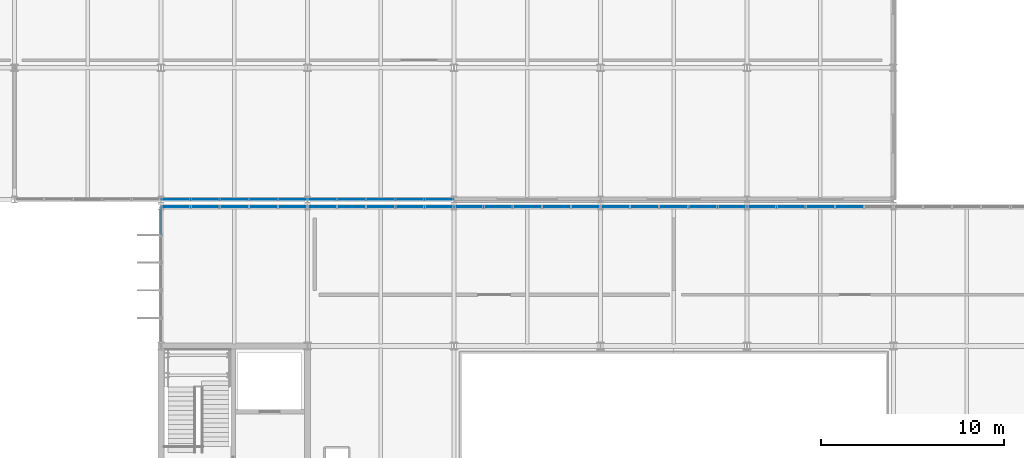
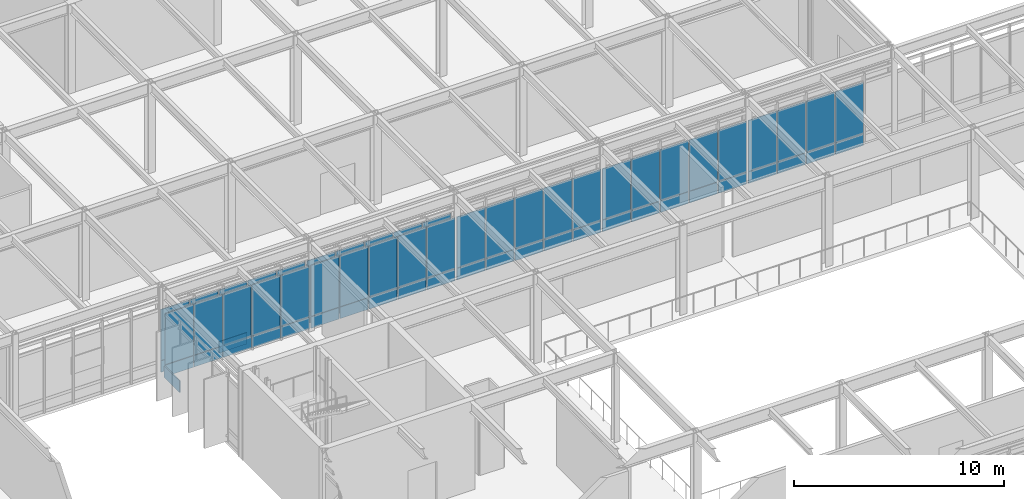
# One storey, part 64 of 94: 69 plates, 8 elements without a shape of their own.
"""IFC4 building model written with IfcOpenShell, lengths in metres."""

from ifc_helpers import new_model, si_unit, direction, frame, origin, origin_2d, place, context, subcontext, project, spatial, rectangle, extrude, material, layer, layer_set, type_object, element, aggregate, save


model = new_model("IFC4")

# Units and contexts
model_context = context("Model", 3, precision=1e-05, world=origin(), true_north=direction((0.0, 1.0)))
body_context = subcontext(model_context, "Body", "Model", "MODEL_VIEW")
ifc_project = project(units=[si_unit("LENGTHUNIT", "METRE"), si_unit("AREAUNIT", "SQUARE_METRE"), si_unit("VOLUMEUNIT", "CUBIC_METRE"), si_unit("PLANEANGLEUNIT", "RADIAN"), si_unit("MASSUNIT", "GRAM", prefix="KILO")], contexts=[model_context])

# Site, building, storey
site_placement = place(None, origin())
site = spatial("IfcSite", under=ifc_project, at=site_placement, CompositionType="ELEMENT")
building_placement = place(site_placement, origin())
building = spatial("IfcBuilding", under=site, at=building_placement, Name="Zulena Civic Courthouse", CompositionType="ELEMENT")
storey_placement = place(building_placement, frame((0.0, 0.0, 5.39990234375)))
storey = spatial("IfcBuildingStorey", under=building, at=storey_placement, Name="L01", CompositionType="ELEMENT", Elevation=5.39990234375)

# Curtain wall, plate
ifc_material_1 = material(Name="Double-silver low-E laminated solar-control glass", Category="glass")
curtain_wall_type_1 = type_object("IfcCurtainWallType", Name="CW_7552x4280", PredefinedType="USERDEFINED", material=ifc_material_1)
curtain_wall_1_placement = place(storey_placement, origin())
curtain_wall_1 = element("IfcCurtainWall", 1, at=curtain_wall_1_placement, inside=storey, type_object=curtain_wall_type_1, Name="cw:V4:L01:0:3", ObjectType="UNITISED CURTAIN WALL", PredefinedType="USERDEFINED")
ifc_material_2 = material(Name="Ceramic-fritted insulated spandrel glass", Category="glass")
ifc_layer_1 = layer(ifc_material_2, 0.0458984375)
ifc_layer_set_1 = layer_set([ifc_layer_1], Name="Ceramic-fritted insulated spandrel glass")
plate_type_1 = type_object("IfcPlateType", Name="CWPanel_Spandrel_46", PredefinedType="CURTAIN_PANEL", material=ifc_layer_set_1)
plate_1_placement = place(storey_placement, frame((68.0, 44.82080078125, 0.070068359375), z_axis=(0.0, 0.0, 1.0), x_axis=(0.0, 1.0, 0.0)))
plate_1 = element("IfcPlate", 2, at=plate_1_placement, type_object=plate_type_1, Name="cw:V4:L01:0:3:panS:4", PredefinedType="CURTAIN_PANEL", context=body_context, shape_type="SweptSolid", body=[
    extrude(rectangle(XDim=1.4599609375, YDim=0.0458984375, at=origin_2d()), origin(), (0.0, 0.0, 1.0), 0.669921875),
])
aggregate(curtain_wall_1, [plate_1])

# Curtain wall, plates
curtain_wall_type_2 = type_object("IfcCurtainWallType", Name="CW_7952x4280", PredefinedType="USERDEFINED", material=ifc_material_1)
curtain_wall_2_placement = place(storey_placement, origin())
curtain_wall_2 = element("IfcCurtainWall", 3, at=curtain_wall_2_placement, inside=storey, type_object=curtain_wall_type_2, Name="cw:V4:L01:1:0", ObjectType="UNITISED CURTAIN WALL", PredefinedType="USERDEFINED")
plate_2_placement = place(storey_placement, frame((68.819091796875, 45.60009765625, 0.070068359375), z_axis=(0.0, 0.0, 1.0), x_axis=(1.0, 0.0, 0.0)))
plate_2 = element("IfcPlate", 4, at=plate_2_placement, type_object=plate_type_1, Name="cw:V4:L01:1:0:panS:0", PredefinedType="CURTAIN_PANEL", context=body_context, shape_type="SweptSolid", body=[
    extrude(rectangle(XDim=1.5400390625, YDim=0.0458984375, at=origin_2d()), origin(), (0.0, 0.0, 1.0), 0.669921875),
])
plate_3_placement = place(storey_placement, frame((70.40966796875, 45.60009765625, 0.070068359375), z_axis=(0.0, 0.0, 1.0), x_axis=(1.0, 0.0, 0.0)))
plate_3 = element("IfcPlate", 5, at=plate_3_placement, type_object=plate_type_1, Name="cw:V4:L01:1:0:panS:1", PredefinedType="CURTAIN_PANEL", context=body_context, shape_type="SweptSolid", body=[
    extrude(rectangle(XDim=1.5400390625, YDim=0.0458984375, at=origin_2d()), origin(), (0.0, 0.0, 1.0), 0.669921875),
])
plate_4_placement = place(storey_placement, frame((72.0, 45.60009765625, 0.070068359375), z_axis=(0.0, 0.0, 1.0), x_axis=(1.0, 0.0, 0.0)))
plate_4 = element("IfcPlate", 6, at=plate_4_placement, type_object=plate_type_1, Name="cw:V4:L01:1:0:panS:2", PredefinedType="CURTAIN_PANEL", context=body_context, shape_type="SweptSolid", body=[
    extrude(rectangle(XDim=1.5400390625, YDim=0.0458984375, at=origin_2d()), origin(), (0.0, 0.0, 1.0), 0.669921875),
])
plate_5_placement = place(storey_placement, frame((73.59033203125, 45.60009765625, 0.070068359375), z_axis=(0.0, 0.0, 1.0), x_axis=(1.0, 0.0, 0.0)))
plate_5 = element("IfcPlate", 7, at=plate_5_placement, type_object=plate_type_1, Name="cw:V4:L01:1:0:panS:3", PredefinedType="CURTAIN_PANEL", context=body_context, shape_type="SweptSolid", body=[
    extrude(rectangle(XDim=1.5400390625, YDim=0.0458984375, at=origin_2d()), origin(), (0.0, 0.0, 1.0), 0.669921875),
])
plate_6_placement = place(storey_placement, frame((75.180908203125, 45.60009765625, 0.070068359375), z_axis=(0.0, 0.0, 1.0), x_axis=(1.0, 0.0, 0.0)))
plate_6 = element("IfcPlate", 8, at=plate_6_placement, type_object=plate_type_1, Name="cw:V4:L01:1:0:panS:4", PredefinedType="CURTAIN_PANEL", context=body_context, shape_type="SweptSolid", body=[
    extrude(rectangle(XDim=1.5400390625, YDim=0.0458984375, at=origin_2d()), origin(), (0.0, 0.0, 1.0), 0.669921875),
])

curtain_wall_3_placement = place(storey_placement, origin())
curtain_wall_3 = element("IfcCurtainWall", 9, at=curtain_wall_3_placement, inside=storey, type_object=curtain_wall_type_2, Name="cw:V4:L01:1:1", ObjectType="UNITISED CURTAIN WALL", PredefinedType="USERDEFINED")
plate_7_placement = place(storey_placement, frame((76.819091796875, 45.60009765625, 0.070068359375), z_axis=(0.0, 0.0, 1.0), x_axis=(1.0, 0.0, 0.0)))
plate_7 = element("IfcPlate", 10, at=plate_7_placement, type_object=plate_type_1, Name="cw:V4:L01:1:1:panS:0", PredefinedType="CURTAIN_PANEL", context=body_context, shape_type="SweptSolid", body=[
    extrude(rectangle(XDim=1.5400390625, YDim=0.0458984375, at=origin_2d()), origin(), (0.0, 0.0, 1.0), 0.669921875),
])
plate_8_placement = place(storey_placement, frame((78.40966796875, 45.60009765625, 0.070068359375), z_axis=(0.0, 0.0, 1.0), x_axis=(1.0, 0.0, 0.0)))
plate_8 = element("IfcPlate", 11, at=plate_8_placement, type_object=plate_type_1, Name="cw:V4:L01:1:1:panS:1", PredefinedType="CURTAIN_PANEL", context=body_context, shape_type="SweptSolid", body=[
    extrude(rectangle(XDim=1.5400390625, YDim=0.0458984375, at=origin_2d()), origin(), (0.0, 0.0, 1.0), 0.669921875),
])
plate_9_placement = place(storey_placement, frame((80.0, 45.60009765625, 0.070068359375), z_axis=(0.0, 0.0, 1.0), x_axis=(1.0, 0.0, 0.0)))
plate_9 = element("IfcPlate", 12, at=plate_9_placement, type_object=plate_type_1, Name="cw:V4:L01:1:1:panS:2", PredefinedType="CURTAIN_PANEL", context=body_context, shape_type="SweptSolid", body=[
    extrude(rectangle(XDim=1.5400390625, YDim=0.0458984375, at=origin_2d()), origin(), (0.0, 0.0, 1.0), 0.669921875),
])
plate_10_placement = place(storey_placement, frame((81.59033203125, 45.60009765625, 0.070068359375), z_axis=(0.0, 0.0, 1.0), x_axis=(1.0, 0.0, 0.0)))
plate_10 = element("IfcPlate", 13, at=plate_10_placement, type_object=plate_type_1, Name="cw:V4:L01:1:1:panS:3", PredefinedType="CURTAIN_PANEL", context=body_context, shape_type="SweptSolid", body=[
    extrude(rectangle(XDim=1.5400390625, YDim=0.0458984375, at=origin_2d()), origin(), (0.0, 0.0, 1.0), 0.669921875),
])
plate_11_placement = place(storey_placement, frame((83.180908203125, 45.60009765625, 0.070068359375), z_axis=(0.0, 0.0, 1.0), x_axis=(1.0, 0.0, 0.0)))
plate_11 = element("IfcPlate", 14, at=plate_11_placement, type_object=plate_type_1, Name="cw:V4:L01:1:1:panS:4", PredefinedType="CURTAIN_PANEL", context=body_context, shape_type="SweptSolid", body=[
    extrude(rectangle(XDim=1.5400390625, YDim=0.0458984375, at=origin_2d()), origin(), (0.0, 0.0, 1.0), 0.669921875),
])

curtain_wall_4_placement = place(storey_placement, origin())
curtain_wall_4 = element("IfcCurtainWall", 15, at=curtain_wall_4_placement, inside=storey, type_object=curtain_wall_type_2, Name="cw:V4:L01:1:2", ObjectType="UNITISED CURTAIN WALL", PredefinedType="USERDEFINED")
plate_12_placement = place(storey_placement, frame((84.819091796875, 45.60009765625, 0.070068359375), z_axis=(0.0, 0.0, 1.0), x_axis=(1.0, 0.0, 0.0)))
plate_12 = element("IfcPlate", 16, at=plate_12_placement, type_object=plate_type_1, Name="cw:V4:L01:1:2:panS:0", PredefinedType="CURTAIN_PANEL", context=body_context, shape_type="SweptSolid", body=[
    extrude(rectangle(XDim=1.5400390625, YDim=0.0458984375, at=origin_2d()), origin(), (0.0, 0.0, 1.0), 0.669921875),
])
plate_13_placement = place(storey_placement, frame((86.40966796875, 45.60009765625, 0.070068359375), z_axis=(0.0, 0.0, 1.0), x_axis=(1.0, 0.0, 0.0)))
plate_13 = element("IfcPlate", 17, at=plate_13_placement, type_object=plate_type_1, Name="cw:V4:L01:1:2:panS:1", PredefinedType="CURTAIN_PANEL", context=body_context, shape_type="SweptSolid", body=[
    extrude(rectangle(XDim=1.5400390625, YDim=0.0458984375, at=origin_2d()), origin(), (0.0, 0.0, 1.0), 0.669921875),
])
plate_14_placement = place(storey_placement, frame((88.0, 45.60009765625, 0.070068359375), z_axis=(0.0, 0.0, 1.0), x_axis=(1.0, 0.0, 0.0)))
plate_14 = element("IfcPlate", 18, at=plate_14_placement, type_object=plate_type_1, Name="cw:V4:L01:1:2:panS:2", PredefinedType="CURTAIN_PANEL", context=body_context, shape_type="SweptSolid", body=[
    extrude(rectangle(XDim=1.5400390625, YDim=0.0458984375, at=origin_2d()), origin(), (0.0, 0.0, 1.0), 0.669921875),
])
plate_15_placement = place(storey_placement, frame((89.59033203125, 45.60009765625, 0.070068359375), z_axis=(0.0, 0.0, 1.0), x_axis=(1.0, 0.0, 0.0)))
plate_15 = element("IfcPlate", 19, at=plate_15_placement, type_object=plate_type_1, Name="cw:V4:L01:1:2:panS:3", PredefinedType="CURTAIN_PANEL", context=body_context, shape_type="SweptSolid", body=[
    extrude(rectangle(XDim=1.5400390625, YDim=0.0458984375, at=origin_2d()), origin(), (0.0, 0.0, 1.0), 0.669921875),
])
plate_16_placement = place(storey_placement, frame((91.180908203125, 45.60009765625, 0.070068359375), z_axis=(0.0, 0.0, 1.0), x_axis=(1.0, 0.0, 0.0)))
plate_16 = element("IfcPlate", 20, at=plate_16_placement, type_object=plate_type_1, Name="cw:V4:L01:1:2:panS:4", PredefinedType="CURTAIN_PANEL", context=body_context, shape_type="SweptSolid", body=[
    extrude(rectangle(XDim=1.5400390625, YDim=0.0458984375, at=origin_2d()), origin(), (0.0, 0.0, 1.0), 0.669921875),
])

curtain_wall_5_placement = place(storey_placement, origin())
curtain_wall_5 = element("IfcCurtainWall", 21, at=curtain_wall_5_placement, inside=storey, type_object=curtain_wall_type_2, Name="cw:V4:L01:1:3", ObjectType="UNITISED CURTAIN WALL", PredefinedType="USERDEFINED")
plate_17_placement = place(storey_placement, frame((92.819091796875, 45.60009765625, 0.070068359375), z_axis=(0.0, 0.0, 1.0), x_axis=(1.0, 0.0, 0.0)))
plate_17 = element("IfcPlate", 22, at=plate_17_placement, type_object=plate_type_1, Name="cw:V4:L01:1:3:panS:0", PredefinedType="CURTAIN_PANEL", context=body_context, shape_type="SweptSolid", body=[
    extrude(rectangle(XDim=1.5400390625, YDim=0.0458984375, at=origin_2d()), origin(), (0.0, 0.0, 1.0), 0.669921875),
])
plate_18_placement = place(storey_placement, frame((94.40966796875, 45.60009765625, 0.070068359375), z_axis=(0.0, 0.0, 1.0), x_axis=(1.0, 0.0, 0.0)))
plate_18 = element("IfcPlate", 23, at=plate_18_placement, type_object=plate_type_1, Name="cw:V4:L01:1:3:panS:1", PredefinedType="CURTAIN_PANEL", context=body_context, shape_type="SweptSolid", body=[
    extrude(rectangle(XDim=1.5400390625, YDim=0.0458984375, at=origin_2d()), origin(), (0.0, 0.0, 1.0), 0.669921875),
])
plate_19_placement = place(storey_placement, frame((96.0, 45.60009765625, 0.070068359375), z_axis=(0.0, 0.0, 1.0), x_axis=(1.0, 0.0, 0.0)))
plate_19 = element("IfcPlate", 24, at=plate_19_placement, type_object=plate_type_1, Name="cw:V4:L01:1:3:panS:2", PredefinedType="CURTAIN_PANEL", context=body_context, shape_type="SweptSolid", body=[
    extrude(rectangle(XDim=1.5400390625, YDim=0.0458984375, at=origin_2d()), origin(), (0.0, 0.0, 1.0), 0.669921875),
])
plate_20_placement = place(storey_placement, frame((97.59033203125, 45.60009765625, 0.070068359375), z_axis=(0.0, 0.0, 1.0), x_axis=(1.0, 0.0, 0.0)))
plate_20 = element("IfcPlate", 25, at=plate_20_placement, type_object=plate_type_1, Name="cw:V4:L01:1:3:panS:3", PredefinedType="CURTAIN_PANEL", context=body_context, shape_type="SweptSolid", body=[
    extrude(rectangle(XDim=1.5400390625, YDim=0.0458984375, at=origin_2d()), origin(), (0.0, 0.0, 1.0), 0.669921875),
])
plate_21_placement = place(storey_placement, frame((99.180908203125, 45.60009765625, 0.070068359375), z_axis=(0.0, 0.0, 1.0), x_axis=(1.0, 0.0, 0.0)))
plate_21 = element("IfcPlate", 26, at=plate_21_placement, type_object=plate_type_1, Name="cw:V4:L01:1:3:panS:4", PredefinedType="CURTAIN_PANEL", context=body_context, shape_type="SweptSolid", body=[
    extrude(rectangle(XDim=1.5400390625, YDim=0.0458984375, at=origin_2d()), origin(), (0.0, 0.0, 1.0), 0.669921875),
])

curtain_wall_6_placement = place(storey_placement, origin())
curtain_wall_6 = element("IfcCurtainWall", 27, at=curtain_wall_6_placement, inside=storey, type_object=curtain_wall_type_2, Name="cw:V4:L01:1:4", ObjectType="UNITISED CURTAIN WALL", PredefinedType="USERDEFINED")
plate_22_placement = place(storey_placement, frame((100.819091796875, 45.60009765625, 0.070068359375), z_axis=(0.0, 0.0, 1.0), x_axis=(1.0, 0.0, 0.0)))
plate_22 = element("IfcPlate", 28, at=plate_22_placement, type_object=plate_type_1, Name="cw:V4:L01:1:4:panS:0", PredefinedType="CURTAIN_PANEL", context=body_context, shape_type="SweptSolid", body=[
    extrude(rectangle(XDim=1.5400390625, YDim=0.0458984375, at=origin_2d()), origin(), (0.0, 0.0, 1.0), 0.669921875),
])
plate_23_placement = place(storey_placement, frame((102.40966796875, 45.60009765625, 0.070068359375), z_axis=(0.0, 0.0, 1.0), x_axis=(1.0, 0.0, 0.0)))
plate_23 = element("IfcPlate", 29, at=plate_23_placement, type_object=plate_type_1, Name="cw:V4:L01:1:4:panS:1", PredefinedType="CURTAIN_PANEL", context=body_context, shape_type="SweptSolid", body=[
    extrude(rectangle(XDim=1.5400390625, YDim=0.0458984375, at=origin_2d()), origin(), (0.0, 0.0, 1.0), 0.669921875),
])
plate_24_placement = place(storey_placement, frame((104.0, 45.60009765625, 0.070068359375), z_axis=(0.0, 0.0, 1.0), x_axis=(1.0, 0.0, 0.0)))
plate_24 = element("IfcPlate", 30, at=plate_24_placement, type_object=plate_type_1, Name="cw:V4:L01:1:4:panS:2", PredefinedType="CURTAIN_PANEL", context=body_context, shape_type="SweptSolid", body=[
    extrude(rectangle(XDim=1.5400390625, YDim=0.0458984375, at=origin_2d()), origin(), (0.0, 0.0, 1.0), 0.669921875),
])
plate_25_placement = place(storey_placement, frame((105.59033203125, 45.60009765625, 0.070068359375), z_axis=(0.0, 0.0, 1.0), x_axis=(1.0, 0.0, 0.0)))
plate_25 = element("IfcPlate", 31, at=plate_25_placement, type_object=plate_type_1, Name="cw:V4:L01:1:4:panS:3", PredefinedType="CURTAIN_PANEL", context=body_context, shape_type="SweptSolid", body=[
    extrude(rectangle(XDim=1.5400390625, YDim=0.0458984375, at=origin_2d()), origin(), (0.0, 0.0, 1.0), 0.669921875),
])

curtain_wall_7_placement = place(storey_placement, origin())
curtain_wall_7 = element("IfcCurtainWall", 32, at=curtain_wall_7_placement, inside=storey, type_object=curtain_wall_type_2, Name="cw:V5:L01:5:3", ObjectType="UNITISED CURTAIN WALL", PredefinedType="USERDEFINED")
plate_26_placement = place(storey_placement, frame((83.180908203125, 46.0, 0.070068359375), z_axis=(0.0, 0.0, 1.0), x_axis=(-1.0, 0.0, 0.0)))
plate_26 = element("IfcPlate", 33, at=plate_26_placement, type_object=plate_type_1, Name="cw:V5:L01:5:3:panS:0", PredefinedType="CURTAIN_PANEL", context=body_context, shape_type="SweptSolid", body=[
    extrude(rectangle(XDim=1.5400390625, YDim=0.0458984375, at=origin_2d()), origin(), (0.0, 0.0, 1.0), 0.669921875),
])
plate_27_placement = place(storey_placement, frame((81.59033203125, 46.0, 0.070068359375), z_axis=(0.0, 0.0, 1.0), x_axis=(-1.0, 0.0, 0.0)))
plate_27 = element("IfcPlate", 34, at=plate_27_placement, type_object=plate_type_1, Name="cw:V5:L01:5:3:panS:1", PredefinedType="CURTAIN_PANEL", context=body_context, shape_type="SweptSolid", body=[
    extrude(rectangle(XDim=1.5400390625, YDim=0.0458984375, at=origin_2d()), origin(), (0.0, 0.0, 1.0), 0.669921875),
])
plate_28_placement = place(storey_placement, frame((80.0, 46.0, 0.070068359375), z_axis=(0.0, 0.0, 1.0), x_axis=(-1.0, 0.0, 0.0)))
plate_28 = element("IfcPlate", 35, at=plate_28_placement, type_object=plate_type_1, Name="cw:V5:L01:5:3:panS:2", PredefinedType="CURTAIN_PANEL", context=body_context, shape_type="SweptSolid", body=[
    extrude(rectangle(XDim=1.5400390625, YDim=0.0458984375, at=origin_2d()), origin(), (0.0, 0.0, 1.0), 0.669921875),
])
plate_29_placement = place(storey_placement, frame((78.40966796875, 46.0, 0.070068359375), z_axis=(0.0, 0.0, 1.0), x_axis=(-1.0, 0.0, 0.0)))
plate_29 = element("IfcPlate", 36, at=plate_29_placement, type_object=plate_type_1, Name="cw:V5:L01:5:3:panS:3", PredefinedType="CURTAIN_PANEL", context=body_context, shape_type="SweptSolid", body=[
    extrude(rectangle(XDim=1.5400390625, YDim=0.0458984375, at=origin_2d()), origin(), (0.0, 0.0, 1.0), 0.669921875),
])
plate_30_placement = place(storey_placement, frame((76.819091796875, 46.0, 0.070068359375), z_axis=(0.0, 0.0, 1.0), x_axis=(-1.0, 0.0, 0.0)))
plate_30 = element("IfcPlate", 37, at=plate_30_placement, type_object=plate_type_1, Name="cw:V5:L01:5:3:panS:4", PredefinedType="CURTAIN_PANEL", context=body_context, shape_type="SweptSolid", body=[
    extrude(rectangle(XDim=1.5400390625, YDim=0.0458984375, at=origin_2d()), origin(), (0.0, 0.0, 1.0), 0.669921875),
])

curtain_wall_8_placement = place(storey_placement, origin())
curtain_wall_8 = element("IfcCurtainWall", 38, at=curtain_wall_8_placement, inside=storey, type_object=curtain_wall_type_2, Name="cw:V5:L01:5:4", ObjectType="UNITISED CURTAIN WALL", PredefinedType="USERDEFINED")
plate_31_placement = place(storey_placement, frame((75.180908203125, 46.0, 0.070068359375), z_axis=(0.0, 0.0, 1.0), x_axis=(-1.0, 0.0, 0.0)))
plate_31 = element("IfcPlate", 39, at=plate_31_placement, type_object=plate_type_1, Name="cw:V5:L01:5:4:panS:0", PredefinedType="CURTAIN_PANEL", context=body_context, shape_type="SweptSolid", body=[
    extrude(rectangle(XDim=1.5400390625, YDim=0.0458984375, at=origin_2d()), origin(), (0.0, 0.0, 1.0), 0.669921875),
])
plate_32_placement = place(storey_placement, frame((73.59033203125, 46.0, 0.070068359375), z_axis=(0.0, 0.0, 1.0), x_axis=(-1.0, 0.0, 0.0)))
plate_32 = element("IfcPlate", 40, at=plate_32_placement, type_object=plate_type_1, Name="cw:V5:L01:5:4:panS:1", PredefinedType="CURTAIN_PANEL", context=body_context, shape_type="SweptSolid", body=[
    extrude(rectangle(XDim=1.5400390625, YDim=0.0458984375, at=origin_2d()), origin(), (0.0, 0.0, 1.0), 0.669921875),
])
plate_33_placement = place(storey_placement, frame((72.0, 46.0, 0.070068359375), z_axis=(0.0, 0.0, 1.0), x_axis=(-1.0, 0.0, 0.0)))
plate_33 = element("IfcPlate", 41, at=plate_33_placement, type_object=plate_type_1, Name="cw:V5:L01:5:4:panS:2", PredefinedType="CURTAIN_PANEL", context=body_context, shape_type="SweptSolid", body=[
    extrude(rectangle(XDim=1.5400390625, YDim=0.0458984375, at=origin_2d()), origin(), (0.0, 0.0, 1.0), 0.669921875),
])
plate_34_placement = place(storey_placement, frame((70.40966796875, 46.0, 0.070068359375), z_axis=(0.0, 0.0, 1.0), x_axis=(-1.0, 0.0, 0.0)))
plate_34 = element("IfcPlate", 42, at=plate_34_placement, type_object=plate_type_1, Name="cw:V5:L01:5:4:panS:3", PredefinedType="CURTAIN_PANEL", context=body_context, shape_type="SweptSolid", body=[
    extrude(rectangle(XDim=1.5400390625, YDim=0.0458984375, at=origin_2d()), origin(), (0.0, 0.0, 1.0), 0.669921875),
])
plate_35_placement = place(storey_placement, frame((68.819091796875, 46.0, 0.070068359375), z_axis=(0.0, 0.0, 1.0), x_axis=(-1.0, 0.0, 0.0)))
plate_35 = element("IfcPlate", 43, at=plate_35_placement, type_object=plate_type_1, Name="cw:V5:L01:5:4:panS:4", PredefinedType="CURTAIN_PANEL", context=body_context, shape_type="SweptSolid", body=[
    extrude(rectangle(XDim=1.5400390625, YDim=0.0458984375, at=origin_2d()), origin(), (0.0, 0.0, 1.0), 0.669921875),
])

# Plate
ifc_layer_2 = layer(ifc_material_1, 0.035888671875)
ifc_layer_set_2 = layer_set([ifc_layer_2], Name="Double-silver low-E laminated solar-control glass")
plate_type_2 = type_object("IfcPlateType", Name="CWPanel_Vision_36", PredefinedType="CURTAIN_PANEL", material=ifc_layer_set_2)
plate_36_placement = place(storey_placement, frame((68.819091796875, 45.60009765625, 0.760009765625), z_axis=(0.0, 0.0, 1.0), x_axis=(1.0, 0.0, 0.0)))
plate_36 = element("IfcPlate", 44, at=plate_36_placement, type_object=plate_type_2, Name="cw:V4:L01:1:0:panV:0", PredefinedType="CURTAIN_PANEL", context=body_context, shape_type="SweptSolid", body=[
    extrude(rectangle(XDim=1.5400390625, YDim=0.035888671875, at=origin_2d()), origin(), (0.0, 0.0, 1.0), 2.9599609375),
])

plate_37_placement = place(storey_placement, frame((70.40966796875, 45.60009765625, 0.760009765625), z_axis=(0.0, 0.0, 1.0), x_axis=(1.0, 0.0, 0.0)))
plate_37 = element("IfcPlate", 45, at=plate_37_placement, type_object=plate_type_2, Name="cw:V4:L01:1:0:panV:1", PredefinedType="CURTAIN_PANEL", context=body_context, shape_type="SweptSolid", body=[
    extrude(rectangle(XDim=1.5400390625, YDim=0.035888671875, at=origin_2d()), origin(), (0.0, 0.0, 1.0), 2.9599609375),
])

plate_38_placement = place(storey_placement, frame((72.0, 45.60009765625, 0.760009765625), z_axis=(0.0, 0.0, 1.0), x_axis=(1.0, 0.0, 0.0)))
plate_38 = element("IfcPlate", 46, at=plate_38_placement, type_object=plate_type_2, Name="cw:V4:L01:1:0:panV:2", PredefinedType="CURTAIN_PANEL", context=body_context, shape_type="SweptSolid", body=[
    extrude(rectangle(XDim=1.5400390625, YDim=0.035888671875, at=origin_2d()), origin(), (0.0, 0.0, 1.0), 2.9599609375),
])

plate_39_placement = place(storey_placement, frame((73.59033203125, 45.60009765625, 0.760009765625), z_axis=(0.0, 0.0, 1.0), x_axis=(1.0, 0.0, 0.0)))
plate_39 = element("IfcPlate", 47, at=plate_39_placement, type_object=plate_type_2, Name="cw:V4:L01:1:0:panV:3", PredefinedType="CURTAIN_PANEL", context=body_context, shape_type="SweptSolid", body=[
    extrude(rectangle(XDim=1.5400390625, YDim=0.035888671875, at=origin_2d()), origin(), (0.0, 0.0, 1.0), 2.9599609375),
])

plate_40_placement = place(storey_placement, frame((75.180908203125, 45.60009765625, 0.760009765625), z_axis=(0.0, 0.0, 1.0), x_axis=(1.0, 0.0, 0.0)))
plate_40 = element("IfcPlate", 48, at=plate_40_placement, type_object=plate_type_2, Name="cw:V4:L01:1:0:panV:4", PredefinedType="CURTAIN_PANEL", context=body_context, shape_type="SweptSolid", body=[
    extrude(rectangle(XDim=1.5400390625, YDim=0.035888671875, at=origin_2d()), origin(), (0.0, 0.0, 1.0), 2.9599609375),
])

aggregate(curtain_wall_2, [plate_36, plate_2, plate_37, plate_3, plate_38, plate_4, plate_39, plate_5, plate_40, plate_6])

plate_41_placement = place(storey_placement, frame((76.819091796875, 45.60009765625, 0.760009765625), z_axis=(0.0, 0.0, 1.0), x_axis=(1.0, 0.0, 0.0)))
plate_41 = element("IfcPlate", 49, at=plate_41_placement, type_object=plate_type_2, Name="cw:V4:L01:1:1:panV:0", PredefinedType="CURTAIN_PANEL", context=body_context, shape_type="SweptSolid", body=[
    extrude(rectangle(XDim=1.5400390625, YDim=0.035888671875, at=origin_2d()), origin(), (0.0, 0.0, 1.0), 2.9599609375),
])

plate_42_placement = place(storey_placement, frame((78.40966796875, 45.60009765625, 0.760009765625), z_axis=(0.0, 0.0, 1.0), x_axis=(1.0, 0.0, 0.0)))
plate_42 = element("IfcPlate", 50, at=plate_42_placement, type_object=plate_type_2, Name="cw:V4:L01:1:1:panV:1", PredefinedType="CURTAIN_PANEL", context=body_context, shape_type="SweptSolid", body=[
    extrude(rectangle(XDim=1.5400390625, YDim=0.035888671875, at=origin_2d()), origin(), (0.0, 0.0, 1.0), 2.9599609375),
])

plate_43_placement = place(storey_placement, frame((80.0, 45.60009765625, 0.760009765625), z_axis=(0.0, 0.0, 1.0), x_axis=(1.0, 0.0, 0.0)))
plate_43 = element("IfcPlate", 51, at=plate_43_placement, type_object=plate_type_2, Name="cw:V4:L01:1:1:panV:2", PredefinedType="CURTAIN_PANEL", context=body_context, shape_type="SweptSolid", body=[
    extrude(rectangle(XDim=1.5400390625, YDim=0.035888671875, at=origin_2d()), origin(), (0.0, 0.0, 1.0), 2.9599609375),
])

plate_44_placement = place(storey_placement, frame((81.59033203125, 45.60009765625, 0.760009765625), z_axis=(0.0, 0.0, 1.0), x_axis=(1.0, 0.0, 0.0)))
plate_44 = element("IfcPlate", 52, at=plate_44_placement, type_object=plate_type_2, Name="cw:V4:L01:1:1:panV:3", PredefinedType="CURTAIN_PANEL", context=body_context, shape_type="SweptSolid", body=[
    extrude(rectangle(XDim=1.5400390625, YDim=0.035888671875, at=origin_2d()), origin(), (0.0, 0.0, 1.0), 2.9599609375),
])

plate_45_placement = place(storey_placement, frame((83.180908203125, 45.60009765625, 0.760009765625), z_axis=(0.0, 0.0, 1.0), x_axis=(1.0, 0.0, 0.0)))
plate_45 = element("IfcPlate", 53, at=plate_45_placement, type_object=plate_type_2, Name="cw:V4:L01:1:1:panV:4", PredefinedType="CURTAIN_PANEL", context=body_context, shape_type="SweptSolid", body=[
    extrude(rectangle(XDim=1.5400390625, YDim=0.035888671875, at=origin_2d()), origin(), (0.0, 0.0, 1.0), 2.9599609375),
])

aggregate(curtain_wall_3, [plate_41, plate_7, plate_42, plate_8, plate_43, plate_9, plate_44, plate_10, plate_45, plate_11])

plate_46_placement = place(storey_placement, frame((84.819091796875, 45.60009765625, 0.760009765625), z_axis=(0.0, 0.0, 1.0), x_axis=(1.0, 0.0, 0.0)))
plate_46 = element("IfcPlate", 54, at=plate_46_placement, type_object=plate_type_2, Name="cw:V4:L01:1:2:panV:0", PredefinedType="CURTAIN_PANEL", context=body_context, shape_type="SweptSolid", body=[
    extrude(rectangle(XDim=1.5400390625, YDim=0.035888671875, at=origin_2d()), origin(), (0.0, 0.0, 1.0), 2.9599609375),
])

plate_47_placement = place(storey_placement, frame((86.40966796875, 45.60009765625, 0.760009765625), z_axis=(0.0, 0.0, 1.0), x_axis=(1.0, 0.0, 0.0)))
plate_47 = element("IfcPlate", 55, at=plate_47_placement, type_object=plate_type_2, Name="cw:V4:L01:1:2:panV:1", PredefinedType="CURTAIN_PANEL", context=body_context, shape_type="SweptSolid", body=[
    extrude(rectangle(XDim=1.5400390625, YDim=0.035888671875, at=origin_2d()), origin(), (0.0, 0.0, 1.0), 2.9599609375),
])

plate_48_placement = place(storey_placement, frame((88.0, 45.60009765625, 0.760009765625), z_axis=(0.0, 0.0, 1.0), x_axis=(1.0, 0.0, 0.0)))
plate_48 = element("IfcPlate", 56, at=plate_48_placement, type_object=plate_type_2, Name="cw:V4:L01:1:2:panV:2", PredefinedType="CURTAIN_PANEL", context=body_context, shape_type="SweptSolid", body=[
    extrude(rectangle(XDim=1.5400390625, YDim=0.035888671875, at=origin_2d()), origin(), (0.0, 0.0, 1.0), 2.9599609375),
])

plate_49_placement = place(storey_placement, frame((89.59033203125, 45.60009765625, 0.760009765625), z_axis=(0.0, 0.0, 1.0), x_axis=(1.0, 0.0, 0.0)))
plate_49 = element("IfcPlate", 57, at=plate_49_placement, type_object=plate_type_2, Name="cw:V4:L01:1:2:panV:3", PredefinedType="CURTAIN_PANEL", context=body_context, shape_type="SweptSolid", body=[
    extrude(rectangle(XDim=1.5400390625, YDim=0.035888671875, at=origin_2d()), origin(), (0.0, 0.0, 1.0), 2.9599609375),
])

plate_50_placement = place(storey_placement, frame((91.180908203125, 45.60009765625, 0.760009765625), z_axis=(0.0, 0.0, 1.0), x_axis=(1.0, 0.0, 0.0)))
plate_50 = element("IfcPlate", 58, at=plate_50_placement, type_object=plate_type_2, Name="cw:V4:L01:1:2:panV:4", PredefinedType="CURTAIN_PANEL", context=body_context, shape_type="SweptSolid", body=[
    extrude(rectangle(XDim=1.5400390625, YDim=0.035888671875, at=origin_2d()), origin(), (0.0, 0.0, 1.0), 2.9599609375),
])

aggregate(curtain_wall_4, [plate_46, plate_12, plate_47, plate_13, plate_48, plate_14, plate_49, plate_15, plate_50, plate_16])

plate_51_placement = place(storey_placement, frame((92.819091796875, 45.60009765625, 0.760009765625), z_axis=(0.0, 0.0, 1.0), x_axis=(1.0, 0.0, 0.0)))
plate_51 = element("IfcPlate", 59, at=plate_51_placement, type_object=plate_type_2, Name="cw:V4:L01:1:3:panV:0", PredefinedType="CURTAIN_PANEL", context=body_context, shape_type="SweptSolid", body=[
    extrude(rectangle(XDim=1.5400390625, YDim=0.035888671875, at=origin_2d()), origin(), (0.0, 0.0, 1.0), 2.9599609375),
])

plate_52_placement = place(storey_placement, frame((94.40966796875, 45.60009765625, 0.760009765625), z_axis=(0.0, 0.0, 1.0), x_axis=(1.0, 0.0, 0.0)))
plate_52 = element("IfcPlate", 60, at=plate_52_placement, type_object=plate_type_2, Name="cw:V4:L01:1:3:panV:1", PredefinedType="CURTAIN_PANEL", context=body_context, shape_type="SweptSolid", body=[
    extrude(rectangle(XDim=1.5400390625, YDim=0.035888671875, at=origin_2d()), origin(), (0.0, 0.0, 1.0), 2.9599609375),
])

plate_53_placement = place(storey_placement, frame((96.0, 45.60009765625, 0.760009765625), z_axis=(0.0, 0.0, 1.0), x_axis=(1.0, 0.0, 0.0)))
plate_53 = element("IfcPlate", 61, at=plate_53_placement, type_object=plate_type_2, Name="cw:V4:L01:1:3:panV:2", PredefinedType="CURTAIN_PANEL", context=body_context, shape_type="SweptSolid", body=[
    extrude(rectangle(XDim=1.5400390625, YDim=0.035888671875, at=origin_2d()), origin(), (0.0, 0.0, 1.0), 2.9599609375),
])

plate_54_placement = place(storey_placement, frame((97.59033203125, 45.60009765625, 0.760009765625), z_axis=(0.0, 0.0, 1.0), x_axis=(1.0, 0.0, 0.0)))
plate_54 = element("IfcPlate", 62, at=plate_54_placement, type_object=plate_type_2, Name="cw:V4:L01:1:3:panV:3", PredefinedType="CURTAIN_PANEL", context=body_context, shape_type="SweptSolid", body=[
    extrude(rectangle(XDim=1.5400390625, YDim=0.035888671875, at=origin_2d()), origin(), (0.0, 0.0, 1.0), 2.9599609375),
])

plate_55_placement = place(storey_placement, frame((99.180908203125, 45.60009765625, 0.760009765625), z_axis=(0.0, 0.0, 1.0), x_axis=(1.0, 0.0, 0.0)))
plate_55 = element("IfcPlate", 63, at=plate_55_placement, type_object=plate_type_2, Name="cw:V4:L01:1:3:panV:4", PredefinedType="CURTAIN_PANEL", context=body_context, shape_type="SweptSolid", body=[
    extrude(rectangle(XDim=1.5400390625, YDim=0.035888671875, at=origin_2d()), origin(), (0.0, 0.0, 1.0), 2.9599609375),
])

aggregate(curtain_wall_5, [plate_51, plate_17, plate_52, plate_18, plate_53, plate_19, plate_54, plate_20, plate_55, plate_21])

plate_56_placement = place(storey_placement, frame((100.819091796875, 45.60009765625, 0.760009765625), z_axis=(0.0, 0.0, 1.0), x_axis=(1.0, 0.0, 0.0)))
plate_56 = element("IfcPlate", 64, at=plate_56_placement, type_object=plate_type_2, Name="cw:V4:L01:1:4:panV:0", PredefinedType="CURTAIN_PANEL", context=body_context, shape_type="SweptSolid", body=[
    extrude(rectangle(XDim=1.5400390625, YDim=0.035888671875, at=origin_2d()), origin(), (0.0, 0.0, 1.0), 2.9599609375),
])

plate_57_placement = place(storey_placement, frame((102.40966796875, 45.60009765625, 0.760009765625), z_axis=(0.0, 0.0, 1.0), x_axis=(1.0, 0.0, 0.0)))
plate_57 = element("IfcPlate", 65, at=plate_57_placement, type_object=plate_type_2, Name="cw:V4:L01:1:4:panV:1", PredefinedType="CURTAIN_PANEL", context=body_context, shape_type="SweptSolid", body=[
    extrude(rectangle(XDim=1.5400390625, YDim=0.035888671875, at=origin_2d()), origin(), (0.0, 0.0, 1.0), 2.9599609375),
])

plate_58_placement = place(storey_placement, frame((104.0, 45.60009765625, 0.760009765625), z_axis=(0.0, 0.0, 1.0), x_axis=(1.0, 0.0, 0.0)))
plate_58 = element("IfcPlate", 66, at=plate_58_placement, type_object=plate_type_2, Name="cw:V4:L01:1:4:panV:2", PredefinedType="CURTAIN_PANEL", context=body_context, shape_type="SweptSolid", body=[
    extrude(rectangle(XDim=1.5400390625, YDim=0.035888671875, at=origin_2d()), origin(), (0.0, 0.0, 1.0), 2.9599609375),
])

plate_59_placement = place(storey_placement, frame((105.59033203125, 45.60009765625, 0.760009765625), z_axis=(0.0, 0.0, 1.0), x_axis=(1.0, 0.0, 0.0)))
plate_59 = element("IfcPlate", 67, at=plate_59_placement, type_object=plate_type_2, Name="cw:V4:L01:1:4:panV:3", PredefinedType="CURTAIN_PANEL", context=body_context, shape_type="SweptSolid", body=[
    extrude(rectangle(XDim=1.5400390625, YDim=0.035888671875, at=origin_2d()), origin(), (0.0, 0.0, 1.0), 2.9599609375),
])

aggregate(curtain_wall_6, [plate_56, plate_22, plate_57, plate_23, plate_58, plate_24, plate_59, plate_25])

plate_60_placement = place(storey_placement, frame((83.180908203125, 46.0, 0.760009765625), z_axis=(0.0, 0.0, 1.0), x_axis=(-1.0, 0.0, 0.0)))
plate_60 = element("IfcPlate", 68, at=plate_60_placement, type_object=plate_type_2, Name="cw:V5:L01:5:3:panV:0", PredefinedType="CURTAIN_PANEL", context=body_context, shape_type="SweptSolid", body=[
    extrude(rectangle(XDim=1.5400390625, YDim=0.035888671875, at=origin_2d()), origin(), (0.0, 0.0, 1.0), 2.9599609375),
])

plate_61_placement = place(storey_placement, frame((81.59033203125, 46.0, 0.760009765625), z_axis=(0.0, 0.0, 1.0), x_axis=(-1.0, 0.0, 0.0)))
plate_61 = element("IfcPlate", 69, at=plate_61_placement, type_object=plate_type_2, Name="cw:V5:L01:5:3:panV:1", PredefinedType="CURTAIN_PANEL", context=body_context, shape_type="SweptSolid", body=[
    extrude(rectangle(XDim=1.5400390625, YDim=0.035888671875, at=origin_2d()), origin(), (0.0, 0.0, 1.0), 2.9599609375),
])

plate_62_placement = place(storey_placement, frame((80.0, 46.0, 0.760009765625), z_axis=(0.0, 0.0, 1.0), x_axis=(-1.0, 0.0, 0.0)))
plate_62 = element("IfcPlate", 70, at=plate_62_placement, type_object=plate_type_2, Name="cw:V5:L01:5:3:panV:2", PredefinedType="CURTAIN_PANEL", context=body_context, shape_type="SweptSolid", body=[
    extrude(rectangle(XDim=1.5400390625, YDim=0.035888671875, at=origin_2d()), origin(), (0.0, 0.0, 1.0), 2.9599609375),
])

plate_63_placement = place(storey_placement, frame((78.40966796875, 46.0, 0.760009765625), z_axis=(0.0, 0.0, 1.0), x_axis=(-1.0, 0.0, 0.0)))
plate_63 = element("IfcPlate", 71, at=plate_63_placement, type_object=plate_type_2, Name="cw:V5:L01:5:3:panV:3", PredefinedType="CURTAIN_PANEL", context=body_context, shape_type="SweptSolid", body=[
    extrude(rectangle(XDim=1.5400390625, YDim=0.035888671875, at=origin_2d()), origin(), (0.0, 0.0, 1.0), 2.9599609375),
])

plate_64_placement = place(storey_placement, frame((76.819091796875, 46.0, 0.760009765625), z_axis=(0.0, 0.0, 1.0), x_axis=(-1.0, 0.0, 0.0)))
plate_64 = element("IfcPlate", 72, at=plate_64_placement, type_object=plate_type_2, Name="cw:V5:L01:5:3:panV:4", PredefinedType="CURTAIN_PANEL", context=body_context, shape_type="SweptSolid", body=[
    extrude(rectangle(XDim=1.5400390625, YDim=0.035888671875, at=origin_2d()), origin(), (0.0, 0.0, 1.0), 2.9599609375),
])

aggregate(curtain_wall_7, [plate_60, plate_26, plate_61, plate_27, plate_62, plate_28, plate_63, plate_29, plate_64, plate_30])

plate_65_placement = place(storey_placement, frame((75.180908203125, 46.0, 0.760009765625), z_axis=(0.0, 0.0, 1.0), x_axis=(-1.0, 0.0, 0.0)))
plate_65 = element("IfcPlate", 73, at=plate_65_placement, type_object=plate_type_2, Name="cw:V5:L01:5:4:panV:0", PredefinedType="CURTAIN_PANEL", context=body_context, shape_type="SweptSolid", body=[
    extrude(rectangle(XDim=1.5400390625, YDim=0.035888671875, at=origin_2d()), origin(), (0.0, 0.0, 1.0), 2.9599609375),
])

plate_66_placement = place(storey_placement, frame((73.59033203125, 46.0, 0.760009765625), z_axis=(0.0, 0.0, 1.0), x_axis=(-1.0, 0.0, 0.0)))
plate_66 = element("IfcPlate", 74, at=plate_66_placement, type_object=plate_type_2, Name="cw:V5:L01:5:4:panV:1", PredefinedType="CURTAIN_PANEL", context=body_context, shape_type="SweptSolid", body=[
    extrude(rectangle(XDim=1.5400390625, YDim=0.035888671875, at=origin_2d()), origin(), (0.0, 0.0, 1.0), 2.9599609375),
])

plate_67_placement = place(storey_placement, frame((72.0, 46.0, 0.760009765625), z_axis=(0.0, 0.0, 1.0), x_axis=(-1.0, 0.0, 0.0)))
plate_67 = element("IfcPlate", 75, at=plate_67_placement, type_object=plate_type_2, Name="cw:V5:L01:5:4:panV:2", PredefinedType="CURTAIN_PANEL", context=body_context, shape_type="SweptSolid", body=[
    extrude(rectangle(XDim=1.5400390625, YDim=0.035888671875, at=origin_2d()), origin(), (0.0, 0.0, 1.0), 2.9599609375),
])

plate_68_placement = place(storey_placement, frame((70.40966796875, 46.0, 0.760009765625), z_axis=(0.0, 0.0, 1.0), x_axis=(-1.0, 0.0, 0.0)))
plate_68 = element("IfcPlate", 76, at=plate_68_placement, type_object=plate_type_2, Name="cw:V5:L01:5:4:panV:3", PredefinedType="CURTAIN_PANEL", context=body_context, shape_type="SweptSolid", body=[
    extrude(rectangle(XDim=1.5400390625, YDim=0.035888671875, at=origin_2d()), origin(), (0.0, 0.0, 1.0), 2.9599609375),
])

plate_69_placement = place(storey_placement, frame((68.819091796875, 46.0, 0.760009765625), z_axis=(0.0, 0.0, 1.0), x_axis=(-1.0, 0.0, 0.0)))
plate_69 = element("IfcPlate", 77, at=plate_69_placement, type_object=plate_type_2, Name="cw:V5:L01:5:4:panV:4", PredefinedType="CURTAIN_PANEL", context=body_context, shape_type="SweptSolid", body=[
    extrude(rectangle(XDim=1.5400390625, YDim=0.035888671875, at=origin_2d()), origin(), (0.0, 0.0, 1.0), 2.9599609375),
])

aggregate(curtain_wall_8, [plate_65, plate_31, plate_66, plate_32, plate_67, plate_33, plate_68, plate_34, plate_69, plate_35])

save(model, "model.ifc")
